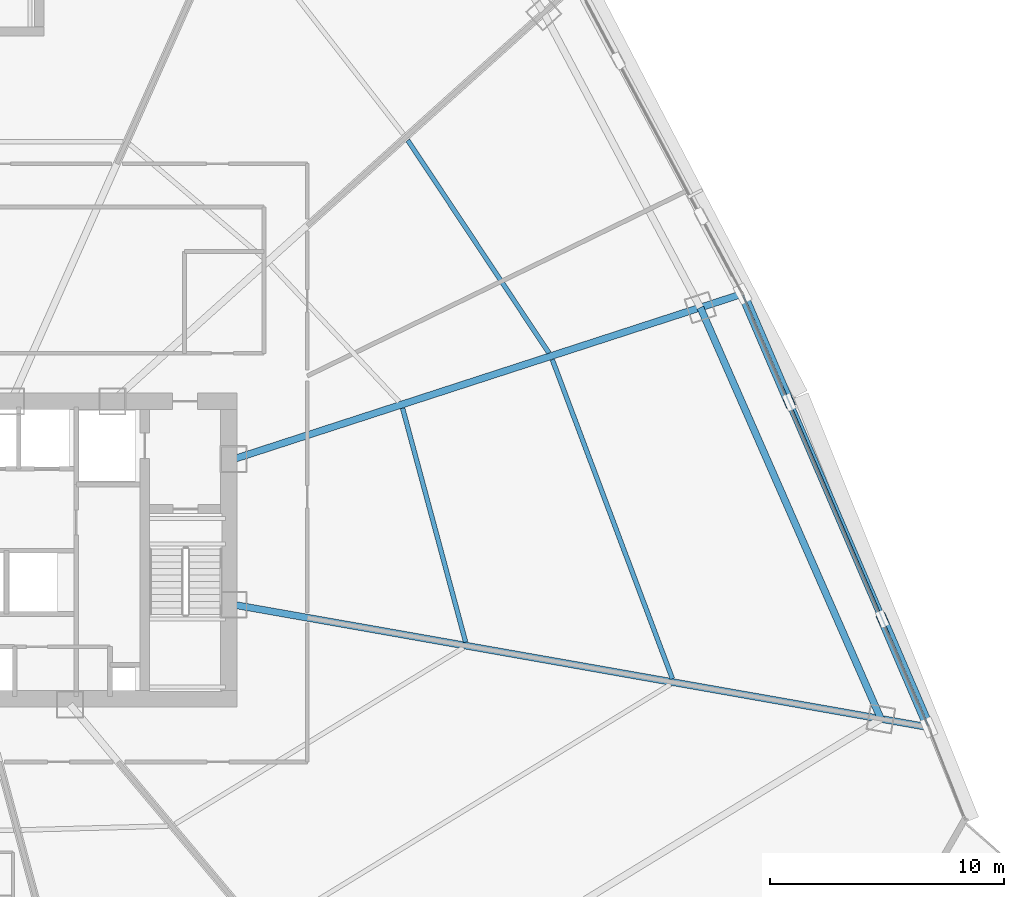
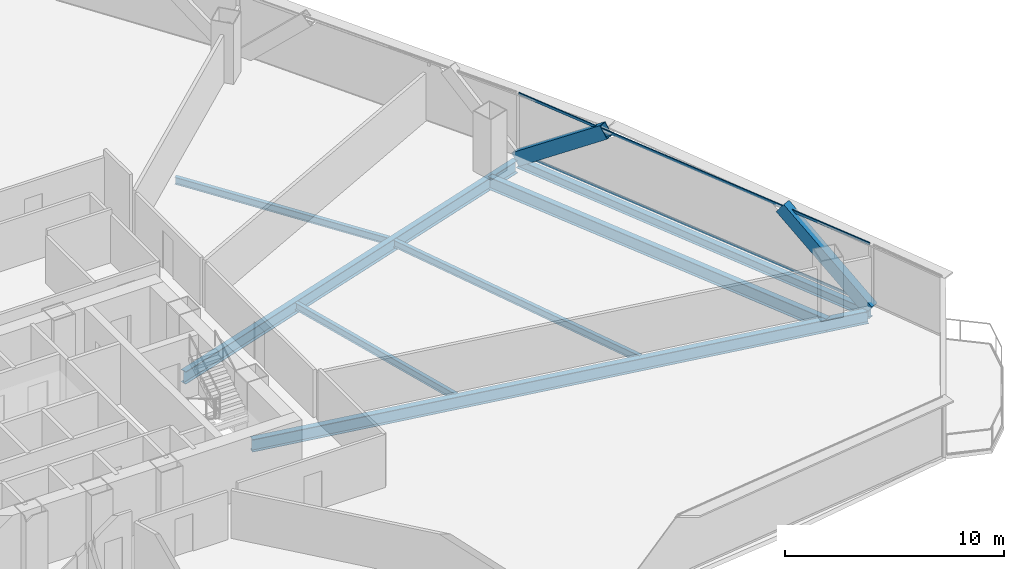
# One storey, part 22 of 38: 7 beams, 4 members, 1 element without a shape of its own.
"""IFC4 building model written with IfcOpenShell, lengths in metres."""

from ifc_helpers import new_model, si_unit, direction, frame, origin, origin_2d, place, context, subcontext, project, spatial, hollow_rectangle, i_section, extrude, source, transform, mapped, material, layer, layer_set, material_profile, profile_set, type_object, element, aggregate, save


model = new_model("IFC4")

# Units and contexts
model_context = context("Model", 3, precision=1e-05, world=origin(), true_north=direction((0.0, 1.0)))
body_context = subcontext(model_context, "Body", "Model", "MODEL_VIEW")
ifc_project = project(units=[si_unit("LENGTHUNIT", "METRE"), si_unit("AREAUNIT", "SQUARE_METRE"), si_unit("VOLUMEUNIT", "CUBIC_METRE"), si_unit("PLANEANGLEUNIT", "RADIAN"), si_unit("MASSUNIT", "GRAM", prefix="KILO"), si_unit("THERMODYNAMICTEMPERATUREUNIT", "KELVIN"), si_unit("POWERUNIT", "WATT")], contexts=[model_context])

# Site, building, storey
site_placement = place(None, origin())
site = spatial("IfcSite", under=ifc_project, at=site_placement, CompositionType="ELEMENT")
building_placement = place(site_placement, origin())
building = spatial("IfcBuilding", under=site, at=building_placement, Name="Yunzhuo Pagoda Commons", CompositionType="ELEMENT")
storey_placement = place(building_placement, frame((0.0, 0.0, 34.030029296875)))
storey = spatial("IfcBuildingStorey", under=building, at=storey_placement, Name="L08", CompositionType="ELEMENT", Elevation=34.030029296875)

# Beams
ifc_material_1 = material(Name="Structural steel Q355B", Category="steel")
ifc_material_profile_1 = material_profile(ifc_material_1, i_section(OverallWidth=0.300048828125, OverallDepth=0.699951171875, WebThickness=0.012939453125, FlangeThickness=0.02392578125, at=origin_2d()), Name="Structural steel Q355B")
ifc_profile_set_1 = profile_set([ifc_material_profile_1], Name="Structural steel Q355B")
beam_type_1 = type_object("IfcBeamType", Name="B-RG1 Beam HN 700x300x13x24", PredefinedType="BEAM", material=ifc_profile_set_1)
shared_shape_1 = source(origin(), body_context, "Body", "SweptSolid", [
    extrude(i_section(OverallWidth=0.300048828125, OverallDepth=0.699951171875, WebThickness=0.012939453125, FlangeThickness=0.02392578125, at=origin_2d()), origin(), (0.0, 0.0, 1.0), 19.18603515625),
])
beam_1_placement = place(storey_placement, frame((88.047607421875, 26.638427734375, -0.610107421875), z_axis=(-0.40196534204, 0.915654882474, 0.0), x_axis=(-0.915654882474, -0.40196534204, 0.0)))
element("IfcBeam", 1, at=beam_1_placement, inside=storey, type_object=beam_type_1, Name="L08 column-ring beam 5", PredefinedType="BEAM", context=body_context, shape_type="MappedRepresentation", body=[
    mapped(shared_shape_1, transform((0.0, 0.0, 0.0), scale=1.0)),
])
shared_shape_2 = source(origin(), body_context, "Body", "SweptSolid", [
    extrude(i_section(OverallWidth=0.300048828125, OverallDepth=0.699951171875, WebThickness=0.012939453125, FlangeThickness=0.02392578125, at=origin_2d()), origin(), (0.0, 0.0, 1.0), 30.001708984375),
])
beam_2_placement = place(storey_placement, frame((89.94580078125, 26.3037109375, -0.610107421875), z_axis=(-0.984807879934, 0.173647457857, 0.0), x_axis=(-0.173647457857, -0.984807879934, 0.0)))
element("IfcBeam", 2, at=beam_2_placement, inside=storey, type_object=beam_type_1, Name="L08 radial floor girder F2C1", PredefinedType="BEAM", context=body_context, shape_type="MappedRepresentation", body=[
    mapped(shared_shape_2, transform((0.0, 0.0, 0.0), scale=1.0)),
])
shared_shape_3 = source(origin(), body_context, "Body", "SweptSolid", [
    extrude(i_section(OverallWidth=0.300048828125, OverallDepth=0.699951171875, WebThickness=0.012939453125, FlangeThickness=0.02392578125, at=origin_2d()), origin(), (0.0, 0.0, 1.0), 22.70458984375),
])
beam_3_placement = place(storey_placement, frame((81.9931640625, 44.7451171875, -0.610107421875), z_axis=(-0.951056034213, -0.309018478068, 0.0), x_axis=(0.309018478068, -0.951056034213, 0.0)))
element("IfcBeam", 3, at=beam_3_placement, inside=storey, type_object=beam_type_1, Name="L08 radial floor girder F2C2", PredefinedType="BEAM", context=body_context, shape_type="MappedRepresentation", body=[
    mapped(shared_shape_3, transform((0.0, 0.0, 0.0), scale=1.0)),
])
ifc_material_profile_2 = material_profile(ifc_material_1, i_section(OverallWidth=0.300048828125, OverallDepth=0.488037109375, WebThickness=0.010986328125, FlangeThickness=0.01806640625, at=origin_2d()), Name="Structural steel Q355B")
ifc_profile_set_2 = profile_set([ifc_material_profile_2], Name="Structural steel Q355B")
beam_type_2 = type_object("IfcBeamType", Name="B-SP1 Beam HM 488x300x11x18", PredefinedType="BEAM", material=ifc_profile_set_2)
shared_shape_4 = source(origin(), body_context, "Body", "SweptSolid", [
    extrude(i_section(OverallWidth=0.300048828125, OverallDepth=0.488037109375, WebThickness=0.010986328125, FlangeThickness=0.01806640625, at=origin_2d()), origin(), (0.0, 0.0, 1.0), 20.153564453125),
])
beam_4_placement = place(storey_placement, frame((90.098388671875, 26.277099609375, -0.504150390625), z_axis=(-0.39485772382, 0.918742280479, 0.0), x_axis=(-0.918742280479, -0.39485772382, 0.0)))
element("IfcBeam", 4, at=beam_4_placement, inside=storey, type_object=beam_type_2, Name="L08 facade edge spandrel beam F2.1", PredefinedType="BEAM", context=body_context, shape_type="MappedRepresentation", body=[
    mapped(shared_shape_4, transform((0.0, 0.0, 0.0), scale=1.0)),
])
ifc_material_profile_3 = material_profile(ifc_material_1, i_section(OverallWidth=0.199951171875, OverallDepth=0.39990234375, WebThickness=0.008056640625, FlangeThickness=0.012939453125, at=origin_2d()), Name="Structural steel Q355B")
ifc_profile_set_3 = profile_set([ifc_material_profile_3], Name="Structural steel Q355B")
beam_type_3 = type_object("IfcBeamType", Name="B-JS1 Joist HN 400x200x8x13", PredefinedType="JOIST", material=ifc_profile_set_3)
shared_shape_5 = source(origin(), body_context, "Body", "SweptSolid", [
    extrude(i_section(OverallWidth=0.199951171875, OverallDepth=0.39990234375, WebThickness=0.008056640625, FlangeThickness=0.012939453125, at=origin_2d()), origin(), (0.0, 0.0, 1.0), 10.351806640625),
])
beam_5_placement = place(storey_placement, frame((70.311767578125, 29.912109375, -0.4599609375), z_axis=(-0.260208595802, 0.965552425646, 0.0), x_axis=(-0.965552425646, -0.260208595802, 0.0)))
element("IfcBeam", 5, at=beam_5_placement, inside=storey, type_object=beam_type_3, Name="L08 composite ring joist 1.5", PredefinedType="JOIST", context=body_context, shape_type="MappedRepresentation", body=[
    mapped(shared_shape_5, transform((0.0, 0.0, 0.0), scale=1.0)),
])
shared_shape_6 = source(origin(), body_context, "Body", "SweptSolid", [
    extrude(i_section(OverallWidth=0.199951171875, OverallDepth=0.39990234375, WebThickness=0.008056640625, FlangeThickness=0.012939453125, at=origin_2d()), origin(), (0.0, 0.0, 1.0), 14.571044921875),
])
beam_6_placement = place(storey_placement, frame((79.144287109375, 28.347412109375, -0.4599609375), z_axis=(-0.352208383632, 0.935921607027, 0.0), x_axis=(-0.935921607027, -0.352208383632, 0.0)))
element("IfcBeam", 6, at=beam_6_placement, inside=storey, type_object=beam_type_3, Name="L08 composite ring joist 2.5", PredefinedType="JOIST", context=body_context, shape_type="MappedRepresentation", body=[
    mapped(shared_shape_6, transform((0.0, 0.0, 0.0), scale=1.0)),
])
shared_shape_7 = source(origin(), body_context, "Body", "SweptSolid", [
    extrude(i_section(OverallWidth=0.199951171875, OverallDepth=0.39990234375, WebThickness=0.008056640625, FlangeThickness=0.012939453125, at=origin_2d()), origin(), (0.0, 0.0, 1.0), 10.904052734375),
])
beam_7_placement = place(storey_placement, frame((73.8681640625, 42.26611328125, -0.4599609375), z_axis=(-0.552916349928, 0.833236767061, 0.0), x_axis=(-0.833236767061, -0.552916349928, 0.0)))
element("IfcBeam", 7, at=beam_7_placement, inside=storey, type_object=beam_type_3, Name="L08 composite ring joist 2.6", PredefinedType="JOIST", context=body_context, shape_type="MappedRepresentation", body=[
    mapped(shared_shape_7, transform((0.0, 0.0, 0.0), scale=1.0)),
])

# Members
ifc_material_2 = material(Name="Structural steel Q420B", Category="steel")
ifc_material_profile_4 = material_profile(ifc_material_2, hollow_rectangle(XDim=0.419921875, YDim=0.719970703125, WallThickness=0.028076171875, at=origin_2d()), Name="Structural steel Q420B")
ifc_profile_set_4 = profile_set([ifc_material_profile_4], Name="Structural steel Q420B")
member_type_1 = type_object("IfcMemberType", Name="M-DL1 Brace BOX 720x420x28", PredefinedType="BRACE", material=ifc_profile_set_4)
shared_shape_8 = source(origin(), body_context, "Body", "SweptSolid", [
    extrude(hollow_rectangle(XDim=0.419921875, YDim=0.719970703125, WallThickness=0.028076171875, at=origin_2d()), origin(), (0.0, 0.0, 1.0), 6.209716796875),
])
member_1_placement = place(storey_placement, frame((90.098388671875, 26.277099609375, -0.259765625), z_axis=(-0.320391173185, 0.745443200833, 0.584520256687), x_axis=(-0.918735996941, -0.394872343833, 0.0)))
element("IfcMember", 8, at=member_1_placement, inside=storey, type_object=member_type_1, Name="L08 facade diamond brace F2.1L", PredefinedType="BRACE", context=body_context, shape_type="MappedRepresentation", body=[
    mapped(shared_shape_8, transform((0.0, 0.0, 0.0), scale=1.0)),
])
shared_shape_9 = source(origin(), body_context, "Body", "SweptSolid", [
    extrude(hollow_rectangle(XDim=0.419921875, YDim=0.719970703125, WallThickness=0.028076171875, at=origin_2d()), origin(), (0.0, 0.0, 1.0), 6.20947265625),
])
member_2_placement = place(storey_placement, frame((82.140625, 44.79296875, -0.259765625), z_axis=(0.320400563474, -0.745425731121, 0.584537388289), x_axis=(0.918728440891, 0.394889923773, 0.0)))
element("IfcMember", 9, at=member_2_placement, inside=storey, type_object=member_type_1, Name="L08 facade diamond brace F2.1R", PredefinedType="BRACE", context=body_context, shape_type="MappedRepresentation", body=[
    mapped(shared_shape_9, transform((0.0, 0.0, 0.0), scale=1.0)),
])

# Curtain wall, members
ifc_material_3 = material(Name="Anodized aluminium 6063-T6", Category="aluminium")
ifc_layer = layer(ifc_material_3, 0.1650390625)
ifc_layer_set = layer_set([ifc_layer], Name="Anodized aluminium 6063-T6")
curtain_wall_type = type_object("IfcCurtainWallType", Name="CW-LOW Low-Zone Ribbon Curtain Wall", PredefinedType="NOTDEFINED", material=ifc_layer_set)
curtain_wall_placement = place(storey_placement, origin())
curtain_wall = element("IfcCurtainWall", 10, at=curtain_wall_placement, inside=storey, type_object=curtain_wall_type, Name="L08 curtain wall CW-L08-F2B2", PredefinedType="NOTDEFINED")
ifc_material_profile_5 = material_profile(ifc_material_3, hollow_rectangle(XDim=0.06005859375, YDim=0.139892578125, WallThickness=0.00341796875, at=origin_2d()), Name="Anodized aluminium 6063-T6")
ifc_profile_set_5 = profile_set([ifc_material_profile_5], Name="Anodized aluminium 6063-T6")
member_type_2 = type_object("IfcMemberType", Name="CW-LOW-T Transom RHS 140x60x3.5", PredefinedType="USERDEFINED", material=ifc_profile_set_5)
shared_shape_10 = source(origin(), body_context, "Body", "SweptSolid", [
    extrude(hollow_rectangle(XDim=0.06005859375, YDim=0.139892578125, WallThickness=0.00341796875, at=origin_2d()), origin(), (0.0, 0.0, 1.0), 20.023681640625),
])
member_3_placement = place(storey_placement, frame((90.07275390625, 26.336669921875, 0.030029296875), z_axis=(-0.394854975911, 0.918743461473, 0.0), x_axis=(-0.918743461473, -0.394854975911, 0.0)))
member_3 = element("IfcMember", 11, at=member_3_placement, type_object=member_type_2, Name="CW transom 1.1", ObjectType="TRANSOM", PredefinedType="USERDEFINED", context=body_context, shape_type="MappedRepresentation", body=[
    mapped(shared_shape_10, transform((0.0, 0.0, 0.0), scale=1.0)),
])
member_4_placement = place(storey_placement, frame((90.07275390625, 26.336669921875, 3.340087890625), z_axis=(-0.394854975911, 0.918743461473, 0.0), x_axis=(-0.918743461473, -0.394854975911, 0.0)))
member_4 = element("IfcMember", 12, at=member_4_placement, type_object=member_type_2, Name="CW transom 1.2", ObjectType="TRANSOM", PredefinedType="USERDEFINED", context=body_context, shape_type="MappedRepresentation", body=[
    mapped(shared_shape_10, transform((0.0, 0.0, 0.0), scale=1.0)),
])
aggregate(curtain_wall, [member_3, member_4])

save(model, "model.ifc")
